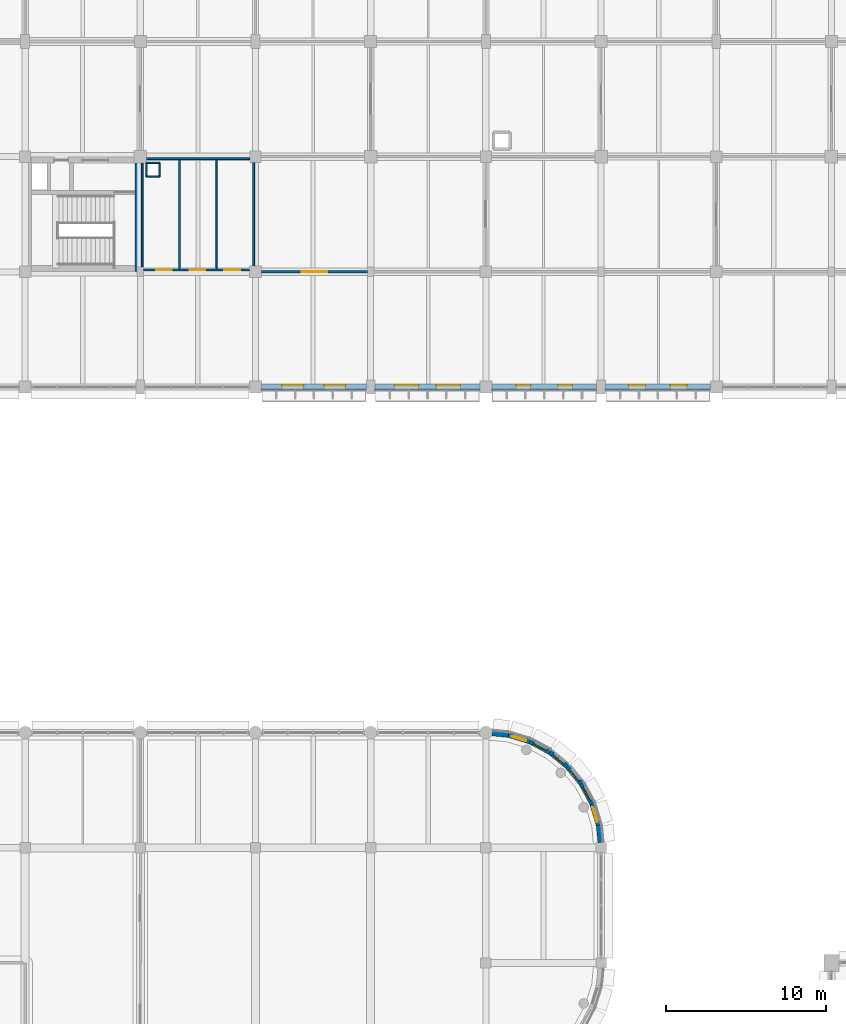
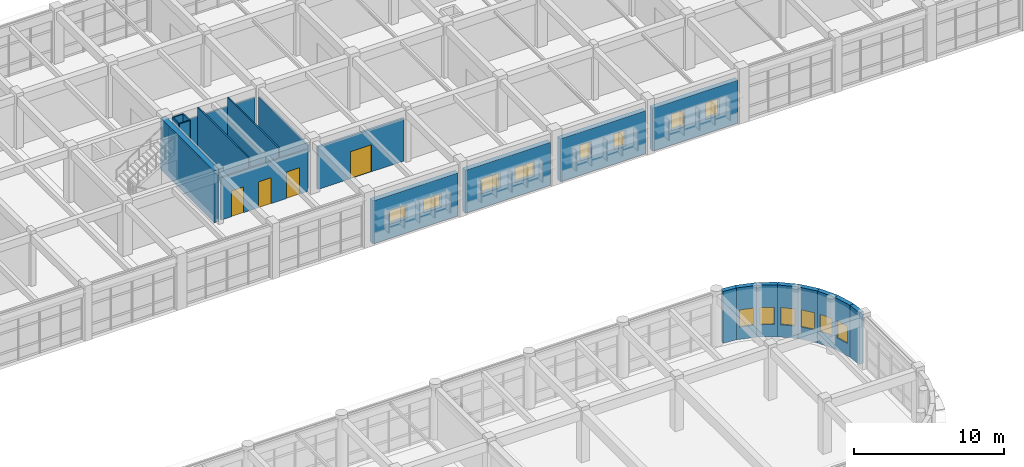
# One storey, part 157 of 171: 24 walls, 14 windows, 4 doors, 18 openings.
"""IFC4 building model written with IfcOpenShell, lengths in metres."""

from ifc_helpers import new_model, si_unit, direction, frame, frame_2d, origin, place, context, subcontext, project, spatial, rectangle, extrude, material, layer, layer_set, type_object, element, fill, save


model = new_model("IFC4")

# Units and contexts
model_context = context("Model", 3, precision=1e-05, world=origin(), true_north=direction((0.0, 1.0)))
body_context = subcontext(model_context, "Body", "Model", "MODEL_VIEW")
ifc_project = project(units=[si_unit("LENGTHUNIT", "METRE"), si_unit("AREAUNIT", "SQUARE_METRE"), si_unit("VOLUMEUNIT", "CUBIC_METRE"), si_unit("PLANEANGLEUNIT", "RADIAN"), si_unit("MASSUNIT", "GRAM", prefix="KILO")], contexts=[model_context])

# Site, building, storey
site_placement = place(None, origin())
site = spatial("IfcSite", under=ifc_project, at=site_placement, CompositionType="ELEMENT")
building_placement = place(site_placement, origin())
building = spatial("IfcBuilding", under=site, at=building_placement, Name="Thalmaran Polytechnic", CompositionType="ELEMENT")
storey_placement = place(building_placement, frame((0.0, 0.0, 5.39990234375)))
storey = spatial("IfcBuildingStorey", under=building, at=storey_placement, Name="L01", CompositionType="ELEMENT", Elevation=5.39990234375)

# Wall, openings, windows
ifc_material_1 = material(Name="Precast concrete C40/50", Category="concrete")
ifc_layer_1 = layer(ifc_material_1, 0.360107421875, Name="Precast concrete C40/50")
ifc_layer_set_1 = layer_set([ifc_layer_1], Name="Precast concrete C40/50")
wall_type_1 = type_object("IfcWallType", Name="WL-EW01", PredefinedType="STANDARD", material=ifc_layer_set_1)
wall_1_placement = place(storey_placement, frame((100.425048828125, 93.60009765625, 0.0), z_axis=(0.0, 0.0, 1.0), x_axis=(-1.0, 0.0, 0.0)))
wall_1 = element("IfcWall", 1, at=wall_1_placement, inside=storey, type_object=wall_type_1, Name="Exterior Precast Facade Wall L01-209", PredefinedType="STANDARD", context=body_context, shape_type="SweptSolid", body=[
    extrude(rectangle(XDim=6.550048828125, YDim=0.360107421875, at=frame_2d((3.27490234375, 0.0))), origin(), (0.0, 0.0, 1.0), 3.489990234375),
])
opening_1_placement = place(wall_1_placement, frame((1.43994140625, 0.0, 1.14990234375)))
opening_1 = element("IfcOpeningElement", 2, at=opening_1_placement, cuts=wall_1, Name="Opening PW12", PredefinedType="OPENING", context=body_context, shape_type="SweptSolid", body=[
    extrude(rectangle(XDim=1.050048828125, YDim=1.35009765625, at=frame_2d((0.52490234375, 0.675048828125))), frame((0.0, 0.18994140625, 0.0), z_axis=(0.0, -1.0, 0.0), x_axis=(1.0, 0.0, 0.0)), (0.0, 0.0, 1.0), 0.380126953125),
])
opening_2_placement = place(wall_1_placement, frame((4.06005859375, 0.0, 1.14990234375)))
opening_2 = element("IfcOpeningElement", 3, at=opening_2_placement, cuts=wall_1, Name="Opening PW12", PredefinedType="OPENING", context=body_context, shape_type="SweptSolid", body=[
    extrude(rectangle(XDim=1.050048828125, YDim=1.35009765625, at=frame_2d((0.52490234375, 0.675048828125))), frame((0.0, 0.18994140625, 0.0), z_axis=(0.0, -1.0, 0.0), x_axis=(1.0, 0.0, 0.0)), (0.0, 0.0, 1.0), 0.380126953125),
])
ifc_material_2 = material(Name="Thermally broken aluminium and double low-E glass", Category="aluminium")
window_type_1 = type_object("IfcWindowType", Name="WN-PW02", PartitioningType="SINGLE_PANEL", PredefinedType="WINDOW", material=ifc_material_2)
window_1_placement = place(opening_1_placement, origin())
window_1 = element("IfcWindow", 4, at=window_1_placement, inside=storey, type_object=window_type_1, Name="Deep-Set Solar-Screened Window W-0179", OverallHeight=1.35009765625, OverallWidth=1.050048828125, PartitioningType="SINGLE_PANEL", PredefinedType="WINDOW", context=body_context, shape_type="SweptSolid", body=[
    extrude(rectangle(XDim=1.050048828125, YDim=1.35009765625, at=frame_2d((0.52490234375, 0.675048828125))), frame((0.0, -0.080078125, 0.0), z_axis=(0.0, -1.0, 0.0), x_axis=(1.0, 0.0, 0.0)), (0.0, 0.0, 1.0), 0.06005859375),
])
fill(opening_1, window_1)
window_2_placement = place(opening_2_placement, origin())
window_2 = element("IfcWindow", 5, at=window_2_placement, inside=storey, type_object=window_type_1, Name="Deep-Set Solar-Screened Window W-0180", OverallHeight=1.35009765625, OverallWidth=1.050048828125, PartitioningType="SINGLE_PANEL", PredefinedType="WINDOW", context=body_context, shape_type="SweptSolid", body=[
    extrude(rectangle(XDim=1.050048828125, YDim=1.35009765625, at=frame_2d((0.52490234375, 0.675048828125))), frame((0.0, -0.080078125, 0.0), z_axis=(0.0, -1.0, 0.0), x_axis=(1.0, 0.0, 0.0)), (0.0, 0.0, 1.0), 0.06005859375),
])
fill(opening_2, window_2)

wall_2_placement = place(storey_placement, frame((93.324951171875, 93.60009765625, 0.0), z_axis=(0.0, 0.0, 1.0), x_axis=(-1.0, 0.0, 0.0)))
wall_2 = element("IfcWall", 6, at=wall_2_placement, inside=storey, type_object=wall_type_1, Name="Exterior Precast Facade Wall L01-210", PredefinedType="STANDARD", context=body_context, shape_type="SweptSolid", body=[
    extrude(rectangle(XDim=6.550048828125, YDim=0.360107421875, at=frame_2d((3.27490234375, 0.0))), origin(), (0.0, 0.0, 1.0), 3.489990234375),
])
opening_3_placement = place(wall_2_placement, frame((1.514892578125, 0.0, 1.14990234375)))
opening_3 = element("IfcOpeningElement", 7, at=opening_3_placement, cuts=wall_2, Name="Opening PW13", PredefinedType="OPENING", context=body_context, shape_type="SweptSolid", body=[
    extrude(rectangle(XDim=0.89990234375, YDim=1.300048828125, at=frame_2d((0.449951171875, 0.64990234375))), frame((0.0, 0.18994140625, 0.0), z_axis=(0.0, -1.0, 0.0), x_axis=(1.0, 0.0, 0.0)), (0.0, 0.0, 1.0), 0.380126953125),
])
opening_4_placement = place(wall_2_placement, frame((4.135009765625, 0.0, 1.14990234375)))
opening_4 = element("IfcOpeningElement", 8, at=opening_4_placement, cuts=wall_2, Name="Opening PW13", PredefinedType="OPENING", context=body_context, shape_type="SweptSolid", body=[
    extrude(rectangle(XDim=0.89990234375, YDim=1.300048828125, at=frame_2d((0.449951171875, 0.64990234375))), frame((0.0, 0.18994140625, 0.0), z_axis=(0.0, -1.0, 0.0), x_axis=(1.0, 0.0, 0.0)), (0.0, 0.0, 1.0), 0.380126953125),
])
window_type_2 = type_object("IfcWindowType", Name="WN-PW03", PartitioningType="SINGLE_PANEL", PredefinedType="WINDOW", material=ifc_material_2)
window_3_placement = place(opening_3_placement, origin())
window_3 = element("IfcWindow", 9, at=window_3_placement, inside=storey, type_object=window_type_2, Name="Deep-Set Solar-Screened Window W-0181", OverallHeight=1.300048828125, OverallWidth=0.89990234375, PartitioningType="SINGLE_PANEL", PredefinedType="WINDOW", context=body_context, shape_type="SweptSolid", body=[
    extrude(rectangle(XDim=0.89990234375, YDim=1.300048828125, at=frame_2d((0.449951171875, 0.64990234375))), frame((0.0, -0.080078125, 0.0), z_axis=(0.0, -1.0, 0.0), x_axis=(1.0, 0.0, 0.0)), (0.0, 0.0, 1.0), 0.06005859375),
])
fill(opening_3, window_3)
window_4_placement = place(opening_4_placement, origin())
window_4 = element("IfcWindow", 10, at=window_4_placement, inside=storey, type_object=window_type_2, Name="Deep-Set Solar-Screened Window W-0182", OverallHeight=1.300048828125, OverallWidth=0.89990234375, PartitioningType="SINGLE_PANEL", PredefinedType="WINDOW", context=body_context, shape_type="SweptSolid", body=[
    extrude(rectangle(XDim=0.89990234375, YDim=1.300048828125, at=frame_2d((0.449951171875, 0.64990234375))), frame((0.0, -0.080078125, 0.0), z_axis=(0.0, -1.0, 0.0), x_axis=(1.0, 0.0, 0.0)), (0.0, 0.0, 1.0), 0.06005859375),
])
fill(opening_4, window_4)

wall_3_placement = place(storey_placement, frame((86.02490234375, 93.60009765625, 0.0), z_axis=(0.0, 0.0, 1.0), x_axis=(-1.0, 0.0, 0.0)))
wall_3 = element("IfcWall", 11, at=wall_3_placement, inside=storey, type_object=wall_type_1, Name="Exterior Precast Facade Wall L01-211", PredefinedType="STANDARD", context=body_context, shape_type="SweptSolid", body=[
    extrude(rectangle(XDim=6.5498046875, YDim=0.360107421875, at=frame_2d((3.27490234375, 0.0))), origin(), (0.0, 0.0, 1.0), 3.489990234375),
])
opening_5_placement = place(wall_3_placement, frame((1.215087890625, 0.0, 1.14990234375)))
opening_5 = element("IfcOpeningElement", 12, at=opening_5_placement, cuts=wall_3, Name="Opening PW14", PredefinedType="OPENING", context=body_context, shape_type="SweptSolid", body=[
    extrude(rectangle(XDim=1.5, YDim=1.199951171875, at=frame_2d((0.75, 0.60009765625))), frame((0.0, 0.18994140625, 0.0), z_axis=(0.0, -1.0, 0.0), x_axis=(1.0, 0.0, 0.0)), (0.0, 0.0, 1.0), 0.380126953125),
])
opening_6_placement = place(wall_3_placement, frame((3.8349609375, 0.0, 1.14990234375)))
opening_6 = element("IfcOpeningElement", 13, at=opening_6_placement, cuts=wall_3, Name="Opening PW14", PredefinedType="OPENING", context=body_context, shape_type="SweptSolid", body=[
    extrude(rectangle(XDim=1.5, YDim=1.199951171875, at=frame_2d((0.75, 0.60009765625))), frame((0.0, 0.18994140625, 0.0), z_axis=(0.0, -1.0, 0.0), x_axis=(1.0, 0.0, 0.0)), (0.0, 0.0, 1.0), 0.380126953125),
])
window_type_3 = type_object("IfcWindowType", Name="WN-PW04", PartitioningType="DOUBLE_PANEL_VERTICAL", PredefinedType="WINDOW", material=ifc_material_2)
window_5_placement = place(opening_5_placement, origin())
window_5 = element("IfcWindow", 14, at=window_5_placement, inside=storey, type_object=window_type_3, Name="Deep-Set Solar-Screened Window W-0183", OverallHeight=1.199951171875, OverallWidth=1.5, PartitioningType="SINGLE_PANEL", PredefinedType="WINDOW", context=body_context, shape_type="SweptSolid", body=[
    extrude(rectangle(XDim=1.5, YDim=1.199951171875, at=frame_2d((0.75, 0.60009765625))), frame((0.0, -0.080078125, 0.0), z_axis=(0.0, -1.0, 0.0), x_axis=(1.0, 0.0, 0.0)), (0.0, 0.0, 1.0), 0.06005859375),
])
fill(opening_5, window_5)
window_6_placement = place(opening_6_placement, origin())
window_6 = element("IfcWindow", 15, at=window_6_placement, inside=storey, type_object=window_type_3, Name="Deep-Set Solar-Screened Window W-0184", OverallHeight=1.199951171875, OverallWidth=1.5, PartitioningType="SINGLE_PANEL", PredefinedType="WINDOW", context=body_context, shape_type="SweptSolid", body=[
    extrude(rectangle(XDim=1.5, YDim=1.199951171875, at=frame_2d((0.75, 0.60009765625))), frame((0.0, -0.080078125, 0.0), z_axis=(0.0, -1.0, 0.0), x_axis=(1.0, 0.0, 0.0)), (0.0, 0.0, 1.0), 0.06005859375),
])
fill(opening_6, window_6)

wall_4_placement = place(storey_placement, frame((78.925048828125, 93.60009765625, 0.0), z_axis=(0.0, 0.0, 1.0), x_axis=(-1.0, 0.0, 0.0)))
wall_4 = element("IfcWall", 16, at=wall_4_placement, inside=storey, type_object=wall_type_1, Name="Exterior Precast Facade Wall L01-212", PredefinedType="STANDARD", context=body_context, shape_type="SweptSolid", body=[
    extrude(rectangle(XDim=6.550048828125, YDim=0.360107421875, at=frame_2d((3.27490234375, 0.0))), origin(), (0.0, 0.0, 1.0), 3.489990234375),
])
opening_7_placement = place(wall_4_placement, frame((1.2900390625, 0.0, 1.14990234375)))
opening_7 = element("IfcOpeningElement", 17, at=opening_7_placement, cuts=wall_4, Name="Opening PW15", PredefinedType="OPENING", context=body_context, shape_type="SweptSolid", body=[
    extrude(rectangle(XDim=1.35009765625, YDim=1.10009765625, at=frame_2d((0.675048828125, 0.550048828125))), frame((0.0, 0.18994140625, 0.0), z_axis=(0.0, -1.0, 0.0), x_axis=(1.0, 0.0, 0.0)), (0.0, 0.0, 1.0), 0.380126953125),
])
opening_8_placement = place(wall_4_placement, frame((3.909912109375, 0.0, 1.14990234375)))
opening_8 = element("IfcOpeningElement", 18, at=opening_8_placement, cuts=wall_4, Name="Opening PW15", PredefinedType="OPENING", context=body_context, shape_type="SweptSolid", body=[
    extrude(rectangle(XDim=1.35009765625, YDim=1.10009765625, at=frame_2d((0.675048828125, 0.550048828125))), frame((0.0, 0.18994140625, 0.0), z_axis=(0.0, -1.0, 0.0), x_axis=(1.0, 0.0, 0.0)), (0.0, 0.0, 1.0), 0.380126953125),
])
window_type_4 = type_object("IfcWindowType", Name="WN-PW05", PartitioningType="SINGLE_PANEL", PredefinedType="WINDOW", material=ifc_material_2)
window_7_placement = place(opening_7_placement, origin())
window_7 = element("IfcWindow", 19, at=window_7_placement, inside=storey, type_object=window_type_4, Name="Deep-Set Solar-Screened Window W-0185", OverallHeight=1.10009765625, OverallWidth=1.35009765625, PartitioningType="SINGLE_PANEL", PredefinedType="WINDOW", context=body_context, shape_type="SweptSolid", body=[
    extrude(rectangle(XDim=1.35009765625, YDim=1.10009765625, at=frame_2d((0.675048828125, 0.550048828125))), frame((0.0, -0.080078125, 0.0), z_axis=(0.0, -1.0, 0.0), x_axis=(1.0, 0.0, 0.0)), (0.0, 0.0, 1.0), 0.06005859375),
])
fill(opening_7, window_7)
window_8_placement = place(opening_8_placement, origin())
window_8 = element("IfcWindow", 20, at=window_8_placement, inside=storey, type_object=window_type_4, Name="Deep-Set Solar-Screened Window W-0186", OverallHeight=1.10009765625, OverallWidth=1.35009765625, PartitioningType="SINGLE_PANEL", PredefinedType="WINDOW", context=body_context, shape_type="SweptSolid", body=[
    extrude(rectangle(XDim=1.35009765625, YDim=1.10009765625, at=frame_2d((0.675048828125, 0.550048828125))), frame((0.0, -0.080078125, 0.0), z_axis=(0.0, -1.0, 0.0), x_axis=(1.0, 0.0, 0.0)), (0.0, 0.0, 1.0), 0.06005859375),
])
fill(opening_8, window_8)

# Wall
ifc_layer_2 = layer(ifc_material_1, 0.330078125, Name="Precast concrete C40/50")
ifc_layer_set_2 = layer_set([ifc_layer_2], Name="Precast concrete C40/50")
wall_type_2 = type_object("IfcWallType", Name="WL-EW02", PredefinedType="STANDARD", material=ifc_layer_set_2)
wall_5_placement = place(storey_placement, frame((86.798095703125, 71.960693359375, 0.0), z_axis=(0.0, 0.0, 1.0), x_axis=(0.9951866114, -0.097998002481, 0.0)))
element("IfcWall", 21, at=wall_5_placement, inside=storey, type_object=wall_type_2, Name="Exterior Precast Facade Wall L01-144", PredefinedType="STANDARD", context=body_context, shape_type="SweptSolid", body=[
    extrude(rectangle(XDim=1.011474609375, YDim=0.330078125, at=frame_2d((0.505859375, 0.0))), origin(), (0.0, 0.0, 1.0), 4.210205078125),
])

# Wall, opening, window
wall_6_placement = place(storey_placement, frame((87.8046875, 71.861572265625, 0.0), z_axis=(0.0, 0.0, 1.0), x_axis=(0.956945806495, -0.290266641956, 0.0)))
wall_6 = element("IfcWall", 22, at=wall_6_placement, inside=storey, type_object=wall_type_2, Name="Exterior Precast Facade Wall L01-145", PredefinedType="STANDARD", context=body_context, shape_type="SweptSolid", body=[
    extrude(rectangle(XDim=1.411376953125, YDim=0.330078125, at=frame_2d((0.70556640625, 0.0))), origin(), (0.0, 0.0, 1.0), 4.210205078125),
])
opening_9_placement = place(wall_6_placement, frame((0.2255859375, 0.0, 1.0)))
opening_9 = element("IfcOpeningElement", 23, at=opening_9_placement, cuts=wall_6, Name="Opening CR01", PredefinedType="OPENING", context=body_context, shape_type="SweptSolid", body=[
    extrude(rectangle(XDim=0.9599609375, YDim=1.39990234375, at=frame_2d((0.47998046875, 0.699951171875))), frame((0.0, 0.175048828125, 0.0), z_axis=(0.0, -1.0, 0.0), x_axis=(1.0, 0.0, 0.0)), (0.0, 0.0, 1.0), 0.35009765625),
])
window_type_5 = type_object("IfcWindowType", Name="WN-CR01", PartitioningType="SINGLE_PANEL", PredefinedType="WINDOW", material=ifc_material_2)
window_9_placement = place(opening_9_placement, origin())
window_9 = element("IfcWindow", 24, at=window_9_placement, inside=storey, type_object=window_type_5, Name="Curved Prow Ribbon Window W-0161", OverallHeight=1.39990234375, OverallWidth=0.9599609375, PartitioningType="SINGLE_PANEL", PredefinedType="WINDOW", context=body_context, shape_type="SweptSolid", body=[
    extrude(rectangle(XDim=0.9599609375, YDim=1.39990234375, at=frame_2d((0.47998046875, 0.699951171875))), frame((0.0, -0.010009765625, 0.0), z_axis=(0.0, -1.0, 0.0), x_axis=(1.0, 0.0, 0.0)), (0.0, 0.0, 1.0), 0.06005859375),
])
fill(opening_9, window_9)

wall_7_placement = place(storey_placement, frame((89.1552734375, 71.451904296875, 0.0), z_axis=(0.0, 0.0, 1.0), x_axis=(0.881955222984, -0.471333199182, 0.0)))
wall_7 = element("IfcWall", 25, at=wall_7_placement, inside=storey, type_object=wall_type_2, Name="Exterior Precast Facade Wall L01-146", PredefinedType="STANDARD", context=body_context, shape_type="SweptSolid", body=[
    extrude(rectangle(XDim=1.411376953125, YDim=0.330078125, at=frame_2d((0.70556640625, 0.0))), origin(), (0.0, 0.0, 1.0), 4.210205078125),
])
opening_10_placement = place(wall_7_placement, frame((0.2255859375, 0.0, 1.0)))
opening_10 = element("IfcOpeningElement", 26, at=opening_10_placement, cuts=wall_7, Name="Opening CR01", PredefinedType="OPENING", context=body_context, shape_type="SweptSolid", body=[
    extrude(rectangle(XDim=0.9599609375, YDim=1.39990234375, at=frame_2d((0.47998046875, 0.699951171875))), frame((0.0, 0.175048828125, 0.0), z_axis=(0.0, -1.0, 0.0), x_axis=(1.0, 0.0, 0.0)), (0.0, 0.0, 1.0), 0.35009765625),
])
window_10_placement = place(opening_10_placement, origin())
window_10 = element("IfcWindow", 27, at=window_10_placement, inside=storey, type_object=window_type_5, Name="Curved Prow Ribbon Window W-0162", OverallHeight=1.39990234375, OverallWidth=0.9599609375, PartitioningType="SINGLE_PANEL", PredefinedType="WINDOW", context=body_context, shape_type="SweptSolid", body=[
    extrude(rectangle(XDim=0.9599609375, YDim=1.39990234375, at=frame_2d((0.47998046875, 0.699951171875))), frame((0.0, -0.010009765625, 0.0), z_axis=(0.0, -1.0, 0.0), x_axis=(1.0, 0.0, 0.0)), (0.0, 0.0, 1.0), 0.06005859375),
])
fill(opening_10, window_10)

wall_8_placement = place(storey_placement, frame((90.400146484375, 70.78662109375, 0.0), z_axis=(0.0, 0.0, 1.0), x_axis=(0.772977670605, -0.634433227965, 0.0)))
wall_8 = element("IfcWall", 28, at=wall_8_placement, inside=storey, type_object=wall_type_2, Name="Exterior Precast Facade Wall L01-147", PredefinedType="STANDARD", context=body_context, shape_type="SweptSolid", body=[
    extrude(rectangle(XDim=1.41162109375, YDim=0.330078125, at=frame_2d((0.705810546875, 0.0))), origin(), (0.0, 0.0, 1.0), 4.210205078125),
])
opening_11_placement = place(wall_8_placement, frame((0.2255859375, 0.0, 1.0)))
opening_11 = element("IfcOpeningElement", 29, at=opening_11_placement, cuts=wall_8, Name="Opening CR01", PredefinedType="OPENING", context=body_context, shape_type="SweptSolid", body=[
    extrude(rectangle(XDim=0.9599609375, YDim=1.39990234375, at=frame_2d((0.47998046875, 0.699951171875))), frame((0.0, 0.175048828125, 0.0), z_axis=(0.0, -1.0, 0.0), x_axis=(1.0, 0.0, 0.0)), (0.0, 0.0, 1.0), 0.35009765625),
])
window_11_placement = place(opening_11_placement, origin())
window_11 = element("IfcWindow", 30, at=window_11_placement, inside=storey, type_object=window_type_5, Name="Curved Prow Ribbon Window W-0163", OverallHeight=1.39990234375, OverallWidth=0.9599609375, PartitioningType="SINGLE_PANEL", PredefinedType="WINDOW", context=body_context, shape_type="SweptSolid", body=[
    extrude(rectangle(XDim=0.9599609375, YDim=1.39990234375, at=frame_2d((0.47998046875, 0.699951171875))), frame((0.0, -0.010009765625, 0.0), z_axis=(0.0, -1.0, 0.0), x_axis=(1.0, 0.0, 0.0)), (0.0, 0.0, 1.0), 0.06005859375),
])
fill(opening_11, window_11)

wall_9_placement = place(storey_placement, frame((91.4912109375, 69.89111328125, 0.0), z_axis=(0.0, 0.0, 1.0), x_axis=(0.63432986571, -0.773062495189, 0.0)))
wall_9 = element("IfcWall", 31, at=wall_9_placement, inside=storey, type_object=wall_type_2, Name="Exterior Precast Facade Wall L01-148", PredefinedType="STANDARD", context=body_context, shape_type="SweptSolid", body=[
    extrude(rectangle(XDim=1.411376953125, YDim=0.330078125, at=frame_2d((0.70556640625, 0.0))), origin(), (0.0, 0.0, 1.0), 4.210205078125),
])
opening_12_placement = place(wall_9_placement, frame((0.2255859375, 0.0, 1.0)))
opening_12 = element("IfcOpeningElement", 32, at=opening_12_placement, cuts=wall_9, Name="Opening CR01", PredefinedType="OPENING", context=body_context, shape_type="SweptSolid", body=[
    extrude(rectangle(XDim=0.9599609375, YDim=1.39990234375, at=frame_2d((0.47998046875, 0.699951171875))), frame((0.0, 0.175048828125, 0.0), z_axis=(0.0, -1.0, 0.0), x_axis=(1.0, 0.0, 0.0)), (0.0, 0.0, 1.0), 0.35009765625),
])
window_12_placement = place(opening_12_placement, origin())
window_12 = element("IfcWindow", 33, at=window_12_placement, inside=storey, type_object=window_type_5, Name="Curved Prow Ribbon Window W-0164", OverallHeight=1.39990234375, OverallWidth=0.9599609375, PartitioningType="SINGLE_PANEL", PredefinedType="WINDOW", context=body_context, shape_type="SweptSolid", body=[
    extrude(rectangle(XDim=0.9599609375, YDim=1.39990234375, at=frame_2d((0.47998046875, 0.699951171875))), frame((0.0, -0.010009765625, 0.0), z_axis=(0.0, -1.0, 0.0), x_axis=(1.0, 0.0, 0.0)), (0.0, 0.0, 1.0), 0.06005859375),
])
fill(opening_12, window_12)

wall_10_placement = place(storey_placement, frame((92.386474609375, 68.800048828125, 0.0), z_axis=(0.0, 0.0, 1.0), x_axis=(0.471539643102, -0.881844864465, 0.0)))
wall_10 = element("IfcWall", 34, at=wall_10_placement, inside=storey, type_object=wall_type_2, Name="Exterior Precast Facade Wall L01-149", PredefinedType="STANDARD", context=body_context, shape_type="SweptSolid", body=[
    extrude(rectangle(XDim=1.411376953125, YDim=0.330078125, at=frame_2d((0.70556640625, 0.0))), origin(), (0.0, 0.0, 1.0), 4.210205078125),
])
opening_13_placement = place(wall_10_placement, frame((0.2255859375, 0.0, 1.0)))
opening_13 = element("IfcOpeningElement", 35, at=opening_13_placement, cuts=wall_10, Name="Opening CR01", PredefinedType="OPENING", context=body_context, shape_type="SweptSolid", body=[
    extrude(rectangle(XDim=0.9599609375, YDim=1.39990234375, at=frame_2d((0.47998046875, 0.699951171875))), frame((0.0, 0.175048828125, 0.0), z_axis=(0.0, -1.0, 0.0), x_axis=(1.0, 0.0, 0.0)), (0.0, 0.0, 1.0), 0.35009765625),
])
window_13_placement = place(opening_13_placement, origin())
window_13 = element("IfcWindow", 36, at=window_13_placement, inside=storey, type_object=window_type_5, Name="Curved Prow Ribbon Window W-0165", OverallHeight=1.39990234375, OverallWidth=0.9599609375, PartitioningType="SINGLE_PANEL", PredefinedType="WINDOW", context=body_context, shape_type="SweptSolid", body=[
    extrude(rectangle(XDim=0.9599609375, YDim=1.39990234375, at=frame_2d((0.47998046875, 0.699951171875))), frame((0.0, -0.010009765625, 0.0), z_axis=(0.0, -1.0, 0.0), x_axis=(1.0, 0.0, 0.0)), (0.0, 0.0, 1.0), 0.06005859375),
])
fill(opening_13, window_13)

wall_11_placement = place(storey_placement, frame((93.052001953125, 67.555419921875, 0.0), z_axis=(0.0, 0.0, 1.0), x_axis=(0.290218599957, -0.95696037757, 0.0)))
wall_11 = element("IfcWall", 37, at=wall_11_placement, inside=storey, type_object=wall_type_2, Name="Exterior Precast Facade Wall L01-150", PredefinedType="STANDARD", context=body_context, shape_type="SweptSolid", body=[
    extrude(rectangle(XDim=1.41162109375, YDim=0.330078125, at=frame_2d((0.705810546875, 0.0))), origin(), (0.0, 0.0, 1.0), 4.210205078125),
])
opening_14_placement = place(wall_11_placement, frame((0.2255859375, 0.0, 1.0)))
opening_14 = element("IfcOpeningElement", 38, at=opening_14_placement, cuts=wall_11, Name="Opening CR01", PredefinedType="OPENING", context=body_context, shape_type="SweptSolid", body=[
    extrude(rectangle(XDim=0.9599609375, YDim=1.39990234375, at=frame_2d((0.47998046875, 0.699951171875))), frame((0.0, 0.175048828125, 0.0), z_axis=(0.0, -1.0, 0.0), x_axis=(1.0, 0.0, 0.0)), (0.0, 0.0, 1.0), 0.35009765625),
])
window_14_placement = place(opening_14_placement, origin())
window_14 = element("IfcWindow", 39, at=window_14_placement, inside=storey, type_object=window_type_5, Name="Curved Prow Ribbon Window W-0166", OverallHeight=1.39990234375, OverallWidth=0.9599609375, PartitioningType="SINGLE_PANEL", PredefinedType="WINDOW", context=body_context, shape_type="SweptSolid", body=[
    extrude(rectangle(XDim=0.9599609375, YDim=1.39990234375, at=frame_2d((0.47998046875, 0.699951171875))), frame((0.0, -0.010009765625, 0.0), z_axis=(0.0, -1.0, 0.0), x_axis=(1.0, 0.0, 0.0)), (0.0, 0.0, 1.0), 0.06005859375),
])
fill(opening_14, window_14)

# Wall
wall_12_placement = place(storey_placement, frame((93.461669921875, 66.20458984375, 0.0), z_axis=(0.0, 0.0, 1.0), x_axis=(0.097990444233, -0.995187355647, 0.0)))
element("IfcWall", 40, at=wall_12_placement, inside=storey, type_object=wall_type_2, Name="Exterior Precast Facade Wall L01-151", PredefinedType="STANDARD", context=body_context, shape_type="SweptSolid", body=[
    extrude(rectangle(XDim=1.086181640625, YDim=0.330078125, at=frame_2d((0.54296875, 0.0))), origin(), (0.0, 0.0, 1.0), 4.210205078125),
])

# Wall, opening, door
ifc_material_3 = material(Name="Gypsum acoustic partition")
ifc_layer_3 = layer(ifc_material_3, 0.159912109375, Name="Gypsum acoustic partition")
ifc_layer_set_3 = layer_set([ifc_layer_3], Name="Gypsum acoustic partition")
wall_type_3 = type_object("IfcWallType", Name="WL-IW05", PredefinedType="PARTITIONING", material=ifc_layer_set_3)
wall_13_placement = place(storey_placement, frame((72.364990234375, 100.800048828125, 0.0), z_axis=(0.0, 0.0, 1.0), x_axis=(1.0, 0.0, 0.0)))
wall_13 = element("IfcWall", 41, at=wall_13_placement, inside=storey, type_object=wall_type_3, Name="Interior Partition IW05 L01-081", PredefinedType="PARTITIONING", context=body_context, shape_type="SweptSolid", body=[
    extrude(rectangle(XDim=6.630126953125, YDim=0.159912109375, at=frame_2d((3.31494140625, 0.0))), origin(), (0.0, 0.0, 1.0), 3.460205078125),
])
opening_15_placement = place(wall_13_placement, frame((2.514892578125, 0.0, 0.0)))
opening_15 = element("IfcOpeningElement", 42, at=opening_15_placement, cuts=wall_13, Name="Opening D-L01-019-2-05-1", PredefinedType="OPENING", context=body_context, shape_type="SweptSolid", body=[
    extrude(rectangle(XDim=1.60009765625, YDim=2.199951171875, at=frame_2d((0.800048828125, 1.10009765625))), frame((0.0, 0.08984375, 0.0), z_axis=(0.0, -1.0, 0.0), x_axis=(1.0, 0.0, 0.0)), (0.0, 0.0, 1.0), 0.179931640625),
])
ifc_material_4 = material(Name="Powder-coated fire-rated steel", Category="steel")
door_type_1 = type_object("IfcDoorType", Name="DR-FD05", OperationType="NOTDEFINED", PredefinedType="DOOR", material=ifc_material_4)
door_1_placement = place(opening_15_placement, origin())
door_1 = element("IfcDoor", 43, at=door_1_placement, inside=storey, type_object=door_type_1, Name="Polytechnic Library Reading Hall L01-05 Door 1", OperationType="DOUBLE_DOOR_SINGLE_SWING", OverallHeight=2.199951171875, OverallWidth=1.60009765625, PredefinedType="DOOR", context=body_context, shape_type="SweptSolid", body=[
    extrude(rectangle(XDim=1.60009765625, YDim=2.199951171875, at=frame_2d((0.800048828125, 1.10009765625))), frame((0.0, 0.02490234375, 0.0), z_axis=(0.0, -1.0, 0.0), x_axis=(1.0, 0.0, 0.0)), (0.0, 0.0, 1.0), 0.050048828125),
])
fill(opening_15, door_1)

# Wall, openings, doors
ifc_layer_4 = layer(ifc_material_3, 0.114990234375, Name="Gypsum acoustic partition")
ifc_layer_set_4 = layer_set([ifc_layer_4], Name="Gypsum acoustic partition")
wall_type_4 = type_object("IfcWallType", Name="WL-IW08", PredefinedType="PARTITIONING", material=ifc_layer_set_4)
wall_14_placement = place(storey_placement, frame((65.0048828125, 100.919921875, 0.0), z_axis=(0.0, 0.0, 1.0), x_axis=(1.0, 0.0, 0.0)))
wall_14 = element("IfcWall", 44, at=wall_14_placement, inside=storey, type_object=wall_type_4, Name="Sanitary Core Wall L01-W2-S", PredefinedType="PARTITIONING", context=body_context, shape_type="SweptSolid", body=[
    extrude(rectangle(XDim=6.630126953125, YDim=0.114990234375, at=frame_2d((3.31494140625, 0.0))), origin(), (0.0, 0.0, 1.0), 3.43017578125),
])
opening_16_placement = place(wall_14_placement, frame((0.794921875, 0.0, 0.0)))
opening_16 = element("IfcOpeningElement", 45, at=opening_16_placement, cuts=wall_14, Name="Opening WD-L01-W2-1", PredefinedType="OPENING", context=body_context, shape_type="SweptSolid", body=[
    extrude(rectangle(XDim=0.949951171875, YDim=2.10009765625, at=frame_2d((0.47509765625, 1.050048828125))), frame((0.0, 0.0673828125, 0.0), z_axis=(0.0, -1.0, 0.0), x_axis=(1.0, 0.0, 0.0)), (0.0, 0.0, 1.0), 0.135009765625),
])
opening_17_placement = place(wall_14_placement, frame((2.89501953125, 0.0, 0.0)))
opening_17 = element("IfcOpeningElement", 46, at=opening_17_placement, cuts=wall_14, Name="Opening WD-L01-W2-2", PredefinedType="OPENING", context=body_context, shape_type="SweptSolid", body=[
    extrude(rectangle(XDim=0.949951171875, YDim=2.10009765625, at=frame_2d((0.47509765625, 1.050048828125))), frame((0.0, 0.0673828125, 0.0), z_axis=(0.0, -1.0, 0.0), x_axis=(1.0, 0.0, 0.0)), (0.0, 0.0, 1.0), 0.135009765625),
])
opening_18_placement = place(wall_14_placement, frame((5.044921875, 0.0, 0.0)))
opening_18 = element("IfcOpeningElement", 47, at=opening_18_placement, cuts=wall_14, Name="Opening WD-L01-W2-3", PredefinedType="OPENING", context=body_context, shape_type="SweptSolid", body=[
    extrude(rectangle(XDim=1.0, YDim=2.14990234375, at=frame_2d((0.5, 1.074951171875))), frame((0.0, 0.0673828125, 0.0), z_axis=(0.0, -1.0, 0.0), x_axis=(1.0, 0.0, 0.0)), (0.0, 0.0, 1.0), 0.135009765625),
])
ifc_material_5 = material(Name="Acoustic hardwood", Category="wood")
door_type_2 = type_object("IfcDoorType", Name="DR-ID06", OperationType="NOTDEFINED", PredefinedType="DOOR", material=ifc_material_5)
door_2_placement = place(opening_18_placement, origin())
door_2 = element("IfcDoor", 48, at=door_2_placement, inside=storey, type_object=door_type_2, Name="Accessible WC Door L01-W2", OperationType="SINGLE_SWING_RIGHT", OverallHeight=2.14990234375, OverallWidth=1.0, PredefinedType="DOOR", context=body_context, shape_type="SweptSolid", body=[
    extrude(rectangle(XDim=1.0, YDim=2.14990234375, at=frame_2d((0.5, 1.074951171875))), frame((0.0, 0.02490234375, 0.0), z_axis=(0.0, -1.0, 0.0), x_axis=(1.0, 0.0, 0.0)), (0.0, 0.0, 1.0), 0.050048828125),
])
fill(opening_18, door_2)
ifc_material_6 = material(Name="Moisture-resistant laminate timber", Category="wood")
door_type_3 = type_object("IfcDoorType", Name="DR-ID07", OperationType="NOTDEFINED", PredefinedType="DOOR", material=ifc_material_6)
door_3_placement = place(opening_16_placement, origin())
door_3 = element("IfcDoor", 49, at=door_3_placement, inside=storey, type_object=door_type_3, Name="Male WC Door L01-W2", OperationType="SINGLE_SWING_RIGHT", OverallHeight=2.10009765625, OverallWidth=0.949951171875, PredefinedType="DOOR", context=body_context, shape_type="SweptSolid", body=[
    extrude(rectangle(XDim=0.949951171875, YDim=2.10009765625, at=frame_2d((0.47509765625, 1.050048828125))), frame((0.0, 0.02490234375, 0.0), z_axis=(0.0, -1.0, 0.0), x_axis=(1.0, 0.0, 0.0)), (0.0, 0.0, 1.0), 0.050048828125),
])
fill(opening_16, door_3)
door_4_placement = place(opening_17_placement, origin())
door_4 = element("IfcDoor", 50, at=door_4_placement, inside=storey, type_object=door_type_3, Name="Female WC Door L01-W2", OperationType="SINGLE_SWING_LEFT", OverallHeight=2.10009765625, OverallWidth=0.949951171875, PredefinedType="DOOR", context=body_context, shape_type="SweptSolid", body=[
    extrude(rectangle(XDim=0.949951171875, YDim=2.10009765625, at=frame_2d((0.47509765625, 1.050048828125))), frame((0.0, 0.02490234375, 0.0), z_axis=(0.0, -1.0, 0.0), x_axis=(1.0, 0.0, 0.0)), (0.0, 0.0, 1.0), 0.050048828125),
])
fill(opening_17, door_4)

# Walls
wall_15_placement = place(storey_placement, frame((65.195068359375, 107.8798828125, 0.0), z_axis=(0.0, 0.0, 1.0), x_axis=(1.0, 0.0, 0.0)))
element("IfcWall", 51, at=wall_15_placement, inside=storey, type_object=wall_type_4, Name="Sanitary Core Wall L01-W2-N", PredefinedType="PARTITIONING", context=body_context, shape_type="SweptSolid", body=[
    extrude(rectangle(XDim=6.449951171875, YDim=0.114990234375, at=frame_2d((3.22509765625, 0.0))), origin(), (0.0, 0.0, 1.0), 3.43017578125),
])
wall_16_placement = place(storey_placement, frame((64.919921875, 101.10498046875, 0.0), z_axis=(0.0, 0.0, 1.0), x_axis=(0.0, 1.0, 0.0)))
element("IfcWall", 52, at=wall_16_placement, inside=storey, type_object=wall_type_4, Name="Sanitary Side Wall L01-W2-W", PredefinedType="PARTITIONING", context=body_context, shape_type="SweptSolid", body=[
    extrude(rectangle(XDim=6.5, YDim=0.114990234375, at=frame_2d((3.25, 0.0))), origin(), (0.0, 0.0, 1.0), 3.525146484375),
])
wall_17_placement = place(storey_placement, frame((71.8798828125, 101.1650390625, 0.0), z_axis=(0.0, 0.0, 1.0), x_axis=(0.0, 1.0, 0.0)))
element("IfcWall", 53, at=wall_17_placement, inside=storey, type_object=wall_type_4, Name="Sanitary Side Wall L01-W2-E", PredefinedType="PARTITIONING", context=body_context, shape_type="SweptSolid", body=[
    extrude(rectangle(XDim=6.47998046875, YDim=0.114990234375, at=frame_2d((3.239990234375, 0.0))), origin(), (0.0, 0.0, 1.0), 3.525146484375),
])
ifc_material_7 = material(Name="Moisture-resistant partition")
ifc_layer_5 = layer(ifc_material_7, 0.10009765625, Name="Moisture-resistant partition")
ifc_layer_set_5 = layer_set([ifc_layer_5], Name="Moisture-resistant partition")
wall_type_5 = type_object("IfcWallType", Name="WL-IW09", PredefinedType="PARTITIONING", material=ifc_layer_set_5)
for number, where, z_axis, x_axis, name in (
    (54, (67.25, 101.0, 0.0), (0.0, 0.0, 1.0), (0.0, 1.0, 0.0), "WC Partition L01-W2-1"),
    (55, (69.550048828125, 101.0, 0.0), (0.0, 0.0, 1.0), (0.0, 1.0, 0.0), "WC Partition L01-W2-2"),
):
    element("IfcWall", number, at=place(storey_placement, frame(where, z_axis=z_axis, x_axis=x_axis)), inside=storey, type_object=wall_type_5, Name=name, PredefinedType="PARTITIONING", context=body_context, shape_type="SweptSolid", body=[
        extrude(rectangle(XDim=6.800048828125, YDim=0.10009765625, at=frame_2d((3.39990234375, 0.0))), origin(), (0.0, 0.0, 1.0), 4.210205078125),
    ])
wall_18_placement = place(storey_placement, frame((65.18994140625, 106.75, 0.0), z_axis=(0.0, 0.0, 1.0), x_axis=(1.0, 0.0, 0.0)))
element("IfcWall", 56, at=wall_18_placement, inside=storey, type_object=wall_type_5, Name="Plumbing Riser Chase Wall L01-W2-S", PredefinedType="PARTITIONING", context=body_context, shape_type="SweptSolid", body=[
    extrude(rectangle(XDim=0.820068359375, YDim=0.10009765625, at=frame_2d((0.41015625, 0.0))), origin(), (0.0, 0.0, 1.0), 4.210205078125),
])
wall_19_placement = place(storey_placement, frame((66.010009765625, 106.75, 0.0), z_axis=(0.0, 0.0, 1.0), x_axis=(0.0, 1.0, 0.0)))
element("IfcWall", 57, at=wall_19_placement, inside=storey, type_object=wall_type_5, Name="Plumbing Riser Chase Wall L01-W2-E", PredefinedType="PARTITIONING", context=body_context, shape_type="SweptSolid", body=[
    extrude(rectangle(XDim=0.860107421875, YDim=0.10009765625, at=frame_2d((0.43017578125, 0.0))), origin(), (0.0, 0.0, 1.0), 4.210205078125),
])
wall_20_placement = place(storey_placement, frame((66.010009765625, 107.610107421875, 0.0), z_axis=(0.0, 0.0, 1.0), x_axis=(-1.0, 0.0, 0.0)))
element("IfcWall", 58, at=wall_20_placement, inside=storey, type_object=wall_type_5, Name="Plumbing Riser Chase Wall L01-W2-N", PredefinedType="PARTITIONING", context=body_context, shape_type="SweptSolid", body=[
    extrude(rectangle(XDim=0.820068359375, YDim=0.10009765625, at=frame_2d((0.41015625, 0.0))), origin(), (0.0, 0.0, 1.0), 4.210205078125),
])
wall_21_placement = place(storey_placement, frame((65.18994140625, 107.610107421875, 0.0), z_axis=(0.0, 0.0, 1.0), x_axis=(0.0, -1.0, 0.0)))
element("IfcWall", 59, at=wall_21_placement, inside=storey, type_object=wall_type_5, Name="Plumbing Riser Chase Wall L01-W2-W", PredefinedType="PARTITIONING", context=body_context, shape_type="SweptSolid", body=[
    extrude(rectangle(XDim=0.860107421875, YDim=0.10009765625, at=frame_2d((0.43017578125, 0.0))), origin(), (0.0, 0.0, 1.0), 4.210205078125),
])
ifc_material_8 = material(Name="Concrete C50/60", Category="concrete")
ifc_layer_6 = layer(ifc_material_8, 0.3798828125, Name="Concrete C50/60")
ifc_layer_set_6 = layer_set([ifc_layer_6], Name="Concrete C50/60")
wall_type_6 = type_object("IfcWallType", Name="WL-SW02", PredefinedType="SHEAR", material=ifc_layer_set_6)
wall_22_placement = place(storey_placement, frame((64.659912109375, 100.830078125, 0.0), z_axis=(0.0, 0.0, 1.0), x_axis=(0.0, 1.0, 0.0)))
element("IfcWall", 60, at=wall_22_placement, inside=storey, type_object=wall_type_6, Name="Core C6 East Shear Wall L01", PredefinedType="SHEAR", context=body_context, shape_type="SweptSolid", body=[
    extrude(rectangle(XDim=7.139892578125, YDim=0.3798828125, at=frame_2d((3.56982421875, 0.0))), origin(), (0.0, 0.0, 1.0), 4.210205078125),
])

save(model, "model.ifc")
